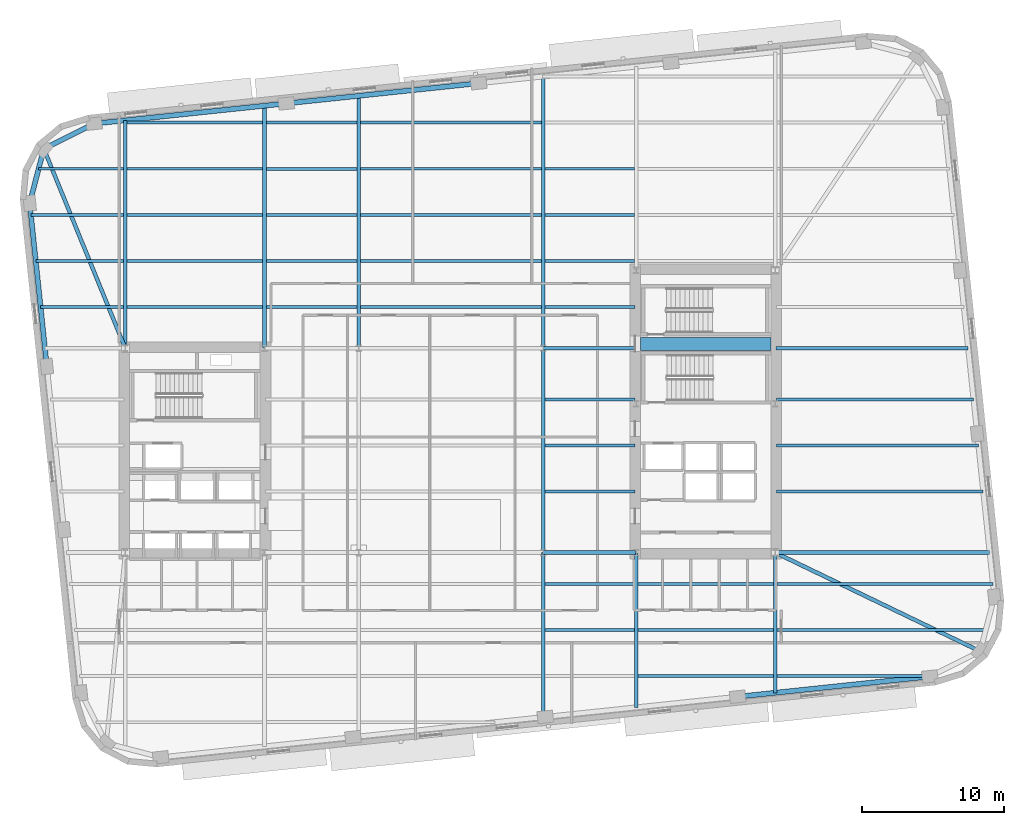
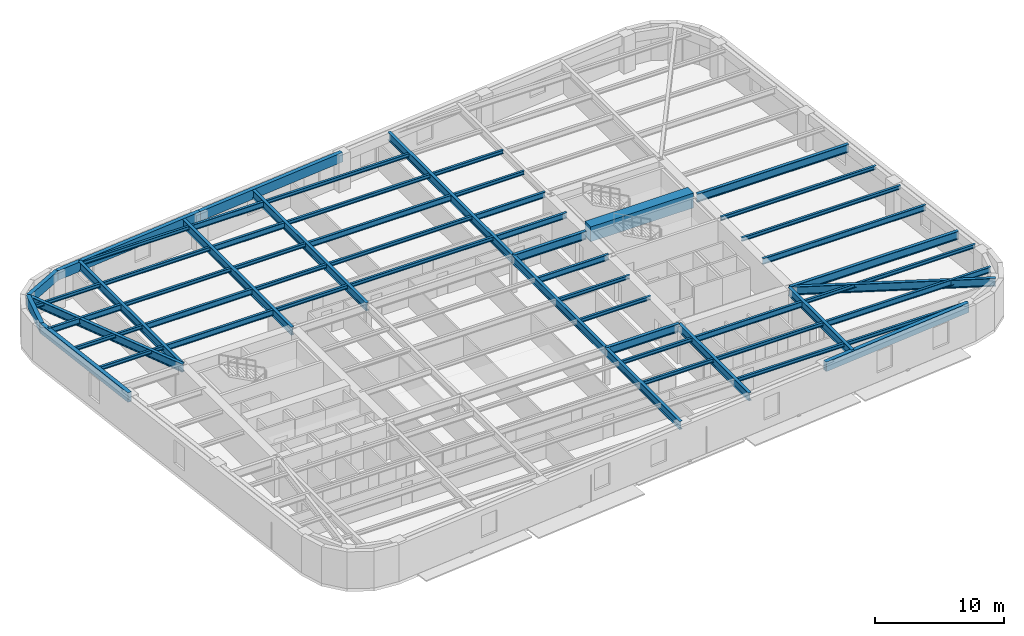
# One storey, part 2 of 12: 58 beams.
"""IFC4 building model written with IfcOpenShell, lengths in metres."""

import ifcopenshell
import ifcopenshell.guid

model = None  # the IFC model being written
_history = None  # IfcOwnerHistory: only IFC2X3 demands one
_inside = {}  # id of a spatial element -> (the spatial element, [elements in it])
_under = {}  # id of a project, library or spatial element -> (it, [spatial elements below it])
_declared = {}  # id of a project -> (the project, [libraries it declares])
_typed = {}  # id of a type object -> (the type object, [elements of that type])
_made_of = {}  # id of a material, layer set ... -> (it, [elements and type objects made of it])


def new_model(schema):
    """Start an empty IFC model of exactly this schema.

    Asked for "IFC4X3", IfcOpenShell would pick the latest addendum, in which some entities
    have other attributes; the version numbers below select the first issue.
    IFC2X3 requires an IfcOwnerHistory on every rooted entity: one is made here for all.
    """
    global model, _history
    if schema == "IFC4X3":
        model = ifcopenshell.file(schema_version=(4, 3, 0, 0))
    else:
        model = ifcopenshell.file(schema=schema)
    _inside.clear()
    _under.clear()
    _declared.clear()
    _typed.clear()
    _made_of.clear()
    _history = None
    if model.schema == "IFC2X3":
        org = make("IfcOrganization", Name="unknown")
        user = make(
            "IfcPersonAndOrganization",
            ThePerson=make("IfcPerson", FamilyName="unknown"),
            TheOrganization=org,
        )
        app = make(
            "IfcApplication",
            ApplicationDeveloper=org,
            Version="unknown",
            ApplicationFullName="unknown",
            ApplicationIdentifier="unknown",
        )
        _history = make(
            "IfcOwnerHistory",
            OwningUser=user,
            OwningApplication=app,
            ChangeAction="ADDED",
            CreationDate=0,
        )
    return model


def make(cls, **values):
    """One entity of the class cls with the attributes given. An attribute that is None is left unset."""
    return model.create_entity(
        cls, **{name: value for name, value in values.items() if value is not None}
    )


def rooted(cls, **values):
    """An entity with a GlobalId (a new one), such as an element, a storey or a relation."""
    return make(cls, GlobalId=ifcopenshell.guid.new(), OwnerHistory=_history, **values)


def si_unit(unit_type, name, prefix=None):
    """IfcSIUnit, for example si_unit("LENGTHUNIT", "METRE", prefix="MILLI")."""
    return make("IfcSIUnit", UnitType=unit_type, Prefix=prefix, Name=name)


def assignment(units):
    """IfcUnitAssignment: the units of a project."""
    return None if units is None else make("IfcUnitAssignment", Units=units)


def point(xyz):
    """IfcCartesianPoint."""
    return None if xyz is None else make("IfcCartesianPoint", Coordinates=xyz)


def direction(xyz):
    """IfcDirection."""
    return None if xyz is None else make("IfcDirection", DirectionRatios=xyz)


def frame(location, z_axis=None, x_axis=None):
    """IfcAxis2Placement3D, a coordinate frame: its origin and axes. An axis left out is left unset."""
    return make(
        "IfcAxis2Placement3D",
        Location=point(location),
        Axis=direction(z_axis),
        RefDirection=direction(x_axis),
    )


def frame_2d(location, x_axis=None):
    """IfcAxis2Placement2D, a coordinate frame in the plane: its origin and x axis."""
    return make(
        "IfcAxis2Placement2D", Location=point(location), RefDirection=direction(x_axis)
    )


def origin():
    """The frame at (0, 0, 0) with its axes left unset."""
    return frame((0.0, 0.0, 0.0))


def origin_2d():
    """The frame at (0, 0) in the plane with its x axis left unset."""
    return frame_2d((0.0, 0.0))


def place(relative_to, where):
    """IfcLocalPlacement: puts the frame where relative to a parent placement (None: the world)."""
    return make(
        "IfcLocalPlacement", PlacementRelTo=relative_to, RelativePlacement=where
    )


def context(
    kind, dimensions, precision=None, world=None, true_north=None, identifier=None
):
    """IfcGeometricRepresentationContext, for example the 3D "Model" context."""
    return make(
        "IfcGeometricRepresentationContext",
        ContextIdentifier=identifier,
        ContextType=kind,
        CoordinateSpaceDimension=dimensions,
        Precision=precision,
        WorldCoordinateSystem=world,
        TrueNorth=true_north,
    )


def subcontext(parent, identifier, kind, view, scale=None):
    """IfcGeometricRepresentationSubContext, for example "Body" below "Model"."""
    return make(
        "IfcGeometricRepresentationSubContext",
        ContextIdentifier=identifier,
        ContextType=kind,
        ParentContext=parent,
        TargetScale=scale,
        TargetView=view,
    )


def project(units=None, contexts=None):
    """IfcProject with its units and contexts."""
    return rooted(
        "IfcProject",
        Name="project",
        RepresentationContexts=contexts,
        UnitsInContext=assignment(units),
    )


def spatial(cls, under=None, at=None, **own):
    """A site, building, storey or space (cls), placed at a placement, below another one or the project."""
    s = rooted(cls, ObjectPlacement=at, **own)
    if under is not None:
        _under.setdefault(under.id(), (under, []))[1].append(s)
    return s


def profile(cls, at=None, kind="AREA", **sizes):
    """A parametric profile (cls). Its sizes go by their IFC names, for example OverallWidth=200.0."""
    return make(cls, ProfileType=kind, Position=at, **sizes)


def rectangle(**sizes):
    """IfcRectangleProfileDef."""
    return profile("IfcRectangleProfileDef", **sizes)


def hollow_rectangle(**sizes):
    """IfcRectangleHollowProfileDef."""
    return profile("IfcRectangleHollowProfileDef", **sizes)


def i_section(**sizes):
    """IfcIShapeProfileDef."""
    return profile("IfcIShapeProfileDef", **sizes)


def extrude(swept, where, along, depth):
    """IfcExtrudedAreaSolid: the profile swept, set in the frame where, extruded along a direction by depth."""
    return make(
        "IfcExtrudedAreaSolid",
        SweptArea=swept,
        Position=where,
        ExtrudedDirection=direction(along),
        Depth=depth,
    )


def shape(context_of_items, identifier, shape_type, items):
    """IfcShapeRepresentation: the items that make up one representation, for example the "Body"."""
    return make(
        "IfcShapeRepresentation",
        ContextOfItems=context_of_items,
        RepresentationIdentifier=identifier,
        RepresentationType=shape_type,
        Items=items,
    )


def material(Name=None, Category=None):
    """IfcMaterial."""
    return make("IfcMaterial", Name=Name, Category=Category)


def material_profile(
    of_material, cross_section, Name=None, Category=None, Priority=None
):
    """IfcMaterialProfile: a cross section and its material."""
    return make(
        "IfcMaterialProfile",
        Name=Name,
        Material=of_material,
        Profile=cross_section,
        Priority=Priority,
        Category=Category,
    )


def profile_set(profiles, Name=None, composite=None):
    """IfcMaterialProfileSet."""
    return make(
        "IfcMaterialProfileSet",
        Name=Name,
        MaterialProfiles=profiles,
        CompositeProfile=composite,
    )


def made_of(thing, what):
    """Note that an element or type object is made of a material, layer set ...; save() writes the relation."""
    if what is not None:
        _made_of.setdefault(what.id(), (what, []))[1].append(thing)
    return thing


def type_object(cls, material=None, **own):
    """A type object (cls), such as IfcWallType, which elements share."""
    return made_of(rooted(cls, **own), material)


def element(
    cls,
    number,
    at=None,
    inside=None,
    cuts=None,
    type_object=None,
    material=None,
    context=None,
    identifier="Body",
    shape_type=None,
    held_by="IfcProductDefinitionShape",
    body=None,
    shapes=None,
    **own,
):
    """One element of the class cls, such as IfcWall. Its Tag is "e" and its number.

    at: its placement. inside: the storey or other place that contains it. cuts: it is an
    opening in that element (IfcRelVoidsElement). A single representation is given by context,
    identifier, shape_type and body (its items); several are given by shapes. held_by: the class
    of the entity that holds the representations. save() writes the other relations.
    """
    e = rooted(cls, Tag="e%d" % number, ObjectPlacement=at, **own)
    if body is not None:
        shapes = [shape(context, identifier, shape_type, body)]
    if shapes is not None:
        e.Representation = make(held_by, Representations=shapes)
    if inside is not None:
        _inside.setdefault(inside.id(), (inside, []))[1].append(e)
    if cuts is not None:
        rooted(
            "IfcRelVoidsElement", RelatingBuildingElement=cuts, RelatedOpeningElement=e
        )
    if type_object is not None:
        _typed.setdefault(type_object.id(), (type_object, []))[1].append(e)
    return made_of(e, material)


def aggregate(whole, parts):
    """IfcRelAggregates: a whole, such as a stair, and the parts it consists of."""
    return rooted("IfcRelAggregates", RelatingObject=whole, RelatedObjects=parts)


def save(model, path):
    """Write the relations noted so far, then the file.

    IfcRelAggregates (storeys below a building ...), IfcRelContainedInSpatialStructure (elements
    in a storey), IfcRelDefinesByType, IfcRelAssociatesMaterial and IfcRelDeclares: one each for
    every whole, place, type object, material and project.
    """
    for whole, parts in _under.values():
        aggregate(whole, parts)
    for where, things in _inside.values():
        rooted(
            "IfcRelContainedInSpatialStructure",
            RelatedElements=things,
            RelatingStructure=where,
        )
    for kind, things in _typed.values():
        rooted("IfcRelDefinesByType", RelatedObjects=things, RelatingType=kind)
    for what, things in _made_of.values():
        rooted("IfcRelAssociatesMaterial", RelatedObjects=things, RelatingMaterial=what)
    for by, libraries in _declared.values():
        rooted("IfcRelDeclares", RelatingContext=by, RelatedDefinitions=libraries)
    model.write(path)


model = new_model("IFC4")

# Units and contexts
model_context = context("Model", 3, precision=1e-05, world=origin(), true_north=direction((0.0, 1.0)))
body_context = subcontext(model_context, "Body", "Model", "MODEL_VIEW")
ifc_project = project(units=[si_unit("LENGTHUNIT", "METRE"), si_unit("AREAUNIT", "SQUARE_METRE"), si_unit("VOLUMEUNIT", "CUBIC_METRE"), si_unit("PLANEANGLEUNIT", "RADIAN"), si_unit("MASSUNIT", "GRAM", prefix="KILO")], contexts=[model_context])

# Site, building, storey
site_placement = place(None, origin())
site = spatial("IfcSite", under=ifc_project, at=site_placement, CompositionType="ELEMENT")
building_placement = place(site_placement, origin())
building = spatial("IfcBuilding", under=site, at=building_placement, Name="Kolvaren Arena Tower", CompositionType="ELEMENT")
storey_placement = place(building_placement, frame((0.0, 0.0, 138.25)))
storey = spatial("IfcBuildingStorey", under=building, at=storey_placement, Name="L32", CompositionType="ELEMENT", Elevation=138.25)

# Beams
ifc_material_1 = material(Name="Steel CSA G40.21 350W", Category="steel")
ifc_material_profile_1 = material_profile(ifc_material_1, i_section(OverallWidth=0.2119140625, OverallDepth=0.54296875, WebThickness=0.01318359375, FlangeThickness=0.0244140625, FilletRadius=0.013916015625, at=origin_2d()), Name="W530x150")
ifc_profile_set_1 = profile_set([ifc_material_profile_1], Name="Steel CSA G40.21 350W")
beam_type_1 = type_object("IfcBeamType", Name="BEAM-F1", PredefinedType="BEAM", material=ifc_profile_set_1)
beam_1_placement = place(storey_placement, frame((60.485107421875, 14.0, 3.20849609375), z_axis=(1.0, 0.0, 0.0), x_axis=(0.0, 1.0, 0.0)))
element("IfcBeam", 1, at=beam_1_placement, inside=storey, type_object=beam_type_1, Name="Composite Floor Beam (L32)", PredefinedType="BEAM", context=body_context, shape_type="SweptSolid", body=[
    extrude(i_section(OverallWidth=0.2119140625, OverallDepth=0.54296875, WebThickness=0.01318359375, FlangeThickness=0.0244140625, FilletRadius=0.013916015625, at=origin_2d()), origin(), (0.0, 0.0, 1.0), 14.69677734375),
])
beam_2_placement = place(storey_placement, frame((50.68505859375, 17.25, 3.20849609375), z_axis=(1.0, 0.0, 0.0), x_axis=(0.0, 1.0, 0.0)))
element("IfcBeam", 2, at=beam_2_placement, inside=storey, type_object=beam_type_1, Name="Composite Floor Beam (L32)", PredefinedType="BEAM", context=body_context, shape_type="SweptSolid", body=[
    extrude(i_section(OverallWidth=0.2119140625, OverallDepth=0.54296875, WebThickness=0.01318359375, FlangeThickness=0.0244140625, FilletRadius=0.013916015625, at=origin_2d()), origin(), (0.0, 0.0, 1.0), 9.530029296875),
])
beam_3_placement = place(storey_placement, frame((60.445068359375, 23.75, 3.20849609375), z_axis=(1.0, 0.0, 0.0), x_axis=(0.0, 1.0, 0.0)))
element("IfcBeam", 3, at=beam_3_placement, inside=storey, type_object=beam_type_1, Name="Composite Floor Beam (L32)", PredefinedType="BEAM", context=body_context, shape_type="SweptSolid", body=[
    extrude(i_section(OverallWidth=0.2119140625, OverallDepth=0.54296875, WebThickness=0.01318359375, FlangeThickness=0.0244140625, FilletRadius=0.013916015625, at=origin_2d()), origin(), (0.0, 0.0, 1.0), 14.56103515625),
])
beam_4_placement = place(storey_placement, frame((44.135009765625, 30.25, 3.20849609375), z_axis=(1.0, 0.0, 0.0), x_axis=(0.0, 1.0, 0.0)))
element("IfcBeam", 4, at=beam_4_placement, inside=storey, type_object=beam_type_1, Name="Composite Floor Beam (L32)", PredefinedType="BEAM", context=body_context, shape_type="SweptSolid", body=[
    extrude(i_section(OverallWidth=0.2119140625, OverallDepth=0.54296875, WebThickness=0.01318359375, FlangeThickness=0.0244140625, FilletRadius=0.013916015625, at=origin_2d()), origin(), (0.0, 0.0, 1.0), 6.320068359375),
])
beam_5_placement = place(storey_placement, frame((14.68505859375, 36.75, 3.20849609375), z_axis=(1.0, 0.0, 0.0), x_axis=(0.0, 1.0, 0.0)))
element("IfcBeam", 5, at=beam_5_placement, inside=storey, type_object=beam_type_1, Name="Composite Floor Beam (L32)", PredefinedType="BEAM", context=body_context, shape_type="SweptSolid", body=[
    extrude(i_section(OverallWidth=0.2119140625, OverallDepth=0.54296875, WebThickness=0.01318359375, FlangeThickness=0.0244140625, FilletRadius=0.013916015625, at=origin_2d()), origin(), (0.0, 0.0, 1.0), 9.530029296875),
])
beam_6_placement = place(storey_placement, frame((44.135009765625, 36.75, 3.20849609375), z_axis=(1.0, 0.0, 0.0), x_axis=(0.0, 1.0, 0.0)))
element("IfcBeam", 6, at=beam_6_placement, inside=storey, type_object=beam_type_1, Name="Composite Floor Beam (L32)", PredefinedType="BEAM", context=body_context, shape_type="SweptSolid", body=[
    extrude(i_section(OverallWidth=0.2119140625, OverallDepth=0.54296875, WebThickness=0.01318359375, FlangeThickness=0.0244140625, FilletRadius=0.013916015625, at=origin_2d()), origin(), (0.0, 0.0, 1.0), 6.320068359375),
])
beam_7_placement = place(storey_placement, frame((14.68505859375, 40.0, 3.20849609375), z_axis=(1.0, 0.0, 0.0), x_axis=(0.0, 1.0, 0.0)))
element("IfcBeam", 7, at=beam_7_placement, inside=storey, type_object=beam_type_1, Name="Composite Floor Beam (L32)", PredefinedType="BEAM", context=body_context, shape_type="SweptSolid", body=[
    extrude(i_section(OverallWidth=0.2119140625, OverallDepth=0.54296875, WebThickness=0.01318359375, FlangeThickness=0.0244140625, FilletRadius=0.013916015625, at=origin_2d()), origin(), (0.0, 0.0, 1.0), 9.530029296875),
])
beam_8_placement = place(storey_placement, frame((44.135009765625, 40.0, 3.20849609375), z_axis=(1.0, 0.0, 0.0), x_axis=(0.0, 1.0, 0.0)))
element("IfcBeam", 8, at=beam_8_placement, inside=storey, type_object=beam_type_1, Name="Composite Floor Beam (L32)", PredefinedType="BEAM", context=body_context, shape_type="SweptSolid", body=[
    extrude(i_section(OverallWidth=0.2119140625, OverallDepth=0.54296875, WebThickness=0.01318359375, FlangeThickness=0.0244140625, FilletRadius=0.013916015625, at=origin_2d()), origin(), (0.0, 0.0, 1.0), 6.280029296875),
])
beam_9_placement = place(storey_placement, frame((7.900146484375, 43.25, 3.20849609375), z_axis=(1.0, 0.0, 0.0), x_axis=(0.0, 1.0, 0.0)))
element("IfcBeam", 9, at=beam_9_placement, inside=storey, type_object=beam_type_1, Name="Composite Floor Beam (L32)", PredefinedType="BEAM", context=body_context, shape_type="SweptSolid", body=[
    extrude(i_section(OverallWidth=0.2119140625, OverallDepth=0.54296875, WebThickness=0.01318359375, FlangeThickness=0.0244140625, FilletRadius=0.013916015625, at=origin_2d()), origin(), (0.0, 0.0, 1.0), 6.514892578125),
])
beam_10_placement = place(storey_placement, frame((31.135009765625, 43.25, 3.20849609375), z_axis=(1.0, 0.0, 0.0), x_axis=(0.0, 1.0, 0.0)))
element("IfcBeam", 10, at=beam_10_placement, inside=storey, type_object=beam_type_1, Name="Composite Floor Beam (L32)", PredefinedType="BEAM", context=body_context, shape_type="SweptSolid", body=[
    extrude(i_section(OverallWidth=0.2119140625, OverallDepth=0.54296875, WebThickness=0.01318359375, FlangeThickness=0.0244140625, FilletRadius=0.013916015625, at=origin_2d()), origin(), (0.0, 0.0, 1.0), 12.72998046875),
])
for number, where, z_axis, x_axis, name in (
    (11, (24.485107421875, 46.5, 3.20849609375), (1.0, 0.0, 0.0), (0.0, 1.0, 0.0), "Composite Floor Beam (L32)"),
    (12, (24.485107421875, 49.75, 3.20849609375), (1.0, 0.0, 0.0), (0.0, 1.0, 0.0), "Composite Floor Beam (L32)"),
):
    element("IfcBeam", number, at=place(storey_placement, frame(where, z_axis=z_axis, x_axis=x_axis)), inside=storey, type_object=beam_type_1, Name=name, PredefinedType="BEAM", context=body_context, shape_type="SweptSolid", body=[
        extrude(i_section(OverallWidth=0.2119140625, OverallDepth=0.54296875, WebThickness=0.01318359375, FlangeThickness=0.0244140625, FilletRadius=0.013916015625, at=origin_2d()), origin(), (0.0, 0.0, 1.0), 6.3798828125),
    ])
ifc_material_2 = material(Name="Concrete 75 MPa", Category="concrete")
ifc_material_profile_2 = material_profile(ifc_material_2, rectangle(XDim=0.89990234375, YDim=1.39990234375, at=origin_2d()), Name="RC-900x1400")
ifc_profile_set_2 = profile_set([ifc_material_profile_2], Name="Concrete 75 MPa")
beam_type_2 = type_object("IfcBeamType", Name="CB-CORE-1", PredefinedType="BEAM", material=ifc_profile_set_2)
beam_11_placement = place(storey_placement, frame((50.85009765625, 34.14990234375, 3.050048828125), z_axis=(1.0, 0.0, 0.0), x_axis=(0.0, 1.0, 0.0)))
element("IfcBeam", 13, at=beam_11_placement, inside=storey, type_object=beam_type_2, Name="East Core Coupling Beam (L32)", PredefinedType="BEAM", context=body_context, shape_type="SweptSolid", body=[
    extrude(rectangle(XDim=0.89990234375, YDim=1.39990234375, at=origin_2d()), origin(), (0.0, 0.0, 1.0), 9.199951171875),
])
ifc_material_profile_3 = material_profile(ifc_material_1, i_section(OverallWidth=0.27001953125, OverallDepth=0.77294921875, WebThickness=0.019287109375, FlangeThickness=0.033447265625, FilletRadius=0.01806640625, at=origin_2d()), Name="W760x257")
ifc_profile_set_3 = profile_set([ifc_material_profile_3], Name="Steel CSA G40.21 350W")
beam_type_3 = type_object("IfcBeamType", Name="GIRD-T1", PredefinedType="BEAM", material=ifc_profile_set_3)
beam_12_placement = place(storey_placement, frame((74.790283203125, 12.49267578125, 3.093505859375), z_axis=(-0.900889626424, 0.43404824732, 0.0), x_axis=(-0.43404824732, -0.900889626424, 0.0)))
element("IfcBeam", 14, at=beam_12_placement, inside=storey, type_object=beam_type_3, Name="Corner Diagonal Tie Girder (L32)", PredefinedType="BEAM", context=body_context, shape_type="SweptSolid", body=[
    extrude(i_section(OverallWidth=0.27001953125, OverallDepth=0.77294921875, WebThickness=0.019287109375, FlangeThickness=0.033447265625, FilletRadius=0.01806640625, at=origin_2d()), origin(), (0.0, 0.0, 1.0), 16.02880859375),
])
beam_13_placement = place(storey_placement, frame((8.8095703125, 47.9072265625, 3.093505859375), z_axis=(0.378059288681, -0.925781385772, 0.0), x_axis=(0.925781385772, 0.378059288681, 0.0)))
element("IfcBeam", 15, at=beam_13_placement, inside=storey, type_object=beam_type_3, Name="Corner Diagonal Tie Girder (L32)", PredefinedType="BEAM", context=body_context, shape_type="SweptSolid", body=[
    extrude(i_section(OverallWidth=0.27001953125, OverallDepth=0.77294921875, WebThickness=0.019287109375, FlangeThickness=0.033447265625, FilletRadius=0.01806640625, at=origin_2d()), origin(), (0.0, 0.0, 1.0), 15.18408203125),
])
beam_14_placement = place(storey_placement, frame((44.0, 19.449951171875, 3.093505859375), z_axis=(1.0, 0.0, 0.0), x_axis=(0.0, 1.0, 0.0)))
element("IfcBeam", 16, at=beam_14_placement, inside=storey, type_object=beam_type_3, Name="Primary Floor Girder (L32)", PredefinedType="BEAM", context=body_context, shape_type="SweptSolid", body=[
    extrude(i_section(OverallWidth=0.27001953125, OverallDepth=0.77294921875, WebThickness=0.019287109375, FlangeThickness=0.033447265625, FilletRadius=0.01806640625, at=origin_2d()), origin(), (0.0, 0.0, 1.0), 6.4951171875),
])
beam_15_placement = place(storey_placement, frame((60.405029296875, 19.449951171875, 3.093505859375), z_axis=(1.0, 0.0, 0.0), x_axis=(0.0, 1.0, 0.0)))
element("IfcBeam", 17, at=beam_15_placement, inside=storey, type_object=beam_type_3, Name="Primary Floor Girder (L32)", PredefinedType="BEAM", context=body_context, shape_type="SweptSolid", body=[
    extrude(i_section(OverallWidth=0.27001953125, OverallDepth=0.77294921875, WebThickness=0.019287109375, FlangeThickness=0.033447265625, FilletRadius=0.01806640625, at=origin_2d()), origin(), (0.0, 0.0, 1.0), 15.052978515625),
])
beam_16_placement = place(storey_placement, frame((44.0, 33.85009765625, 3.093505859375), z_axis=(1.0, 0.0, 0.0), x_axis=(0.0, 1.0, 0.0)))
element("IfcBeam", 18, at=beam_16_placement, inside=storey, type_object=beam_type_3, Name="Primary Floor Girder (L32)", PredefinedType="BEAM", context=body_context, shape_type="SweptSolid", body=[
    extrude(i_section(OverallWidth=0.27001953125, OverallDepth=0.77294921875, WebThickness=0.019287109375, FlangeThickness=0.033447265625, FilletRadius=0.01806640625, at=origin_2d()), origin(), (0.0, 0.0, 1.0), 6.4951171875),
])
beam_17_placement = place(storey_placement, frame((60.405029296875, 33.85009765625, 3.093505859375), z_axis=(1.0, 0.0, 0.0), x_axis=(0.0, 1.0, 0.0)))
element("IfcBeam", 19, at=beam_17_placement, inside=storey, type_object=beam_type_3, Name="Primary Floor Girder (L32)", PredefinedType="BEAM", context=body_context, shape_type="SweptSolid", body=[
    extrude(i_section(OverallWidth=0.27001953125, OverallDepth=0.77294921875, WebThickness=0.019287109375, FlangeThickness=0.033447265625, FilletRadius=0.01806640625, at=origin_2d()), origin(), (0.0, 0.0, 1.0), 13.53955078125),
])
beam_18_placement = place(storey_placement, frame((14.550048828125, 33.905029296875, 3.093505859375), z_axis=(0.0, 1.0, 0.0), x_axis=(-1.0, 0.0, 0.0)))
element("IfcBeam", 20, at=beam_18_placement, inside=storey, type_object=beam_type_3, Name="Primary Floor Girder (L32)", PredefinedType="BEAM", context=body_context, shape_type="SweptSolid", body=[
    extrude(i_section(OverallWidth=0.27001953125, OverallDepth=0.77294921875, WebThickness=0.019287109375, FlangeThickness=0.033447265625, FilletRadius=0.01806640625, at=origin_2d()), origin(), (0.0, 0.0, 1.0), 16.004638671875),
])
beam_19_placement = place(storey_placement, frame((24.35009765625, 33.905029296875, 3.093505859375), z_axis=(0.0, 1.0, 0.0), x_axis=(-1.0, 0.0, 0.0)))
element("IfcBeam", 21, at=beam_19_placement, inside=storey, type_object=beam_type_3, Name="Primary Floor Girder (L32)", PredefinedType="BEAM", context=body_context, shape_type="SweptSolid", body=[
    extrude(i_section(OverallWidth=0.27001953125, OverallDepth=0.77294921875, WebThickness=0.019287109375, FlangeThickness=0.033447265625, FilletRadius=0.01806640625, at=origin_2d()), origin(), (0.0, 0.0, 1.0), 17.03466796875),
])
beam_20_placement = place(storey_placement, frame((31.0, 33.85009765625, 3.093505859375), z_axis=(0.0, 1.0, 0.0), x_axis=(-1.0, 0.0, 0.0)))
element("IfcBeam", 22, at=beam_20_placement, inside=storey, type_object=beam_type_3, Name="Primary Floor Girder (L32)", PredefinedType="BEAM", context=body_context, shape_type="SweptSolid", body=[
    extrude(i_section(OverallWidth=0.27001953125, OverallDepth=0.77294921875, WebThickness=0.019287109375, FlangeThickness=0.033447265625, FilletRadius=0.01806640625, at=origin_2d()), origin(), (0.0, 0.0, 1.0), 17.788330078125),
])
beam_21_placement = place(storey_placement, frame((44.0, 7.857666015625, 3.093505859375), z_axis=(0.0, 1.0, 0.0), x_axis=(-1.0, 0.0, 0.0)))
element("IfcBeam", 23, at=beam_21_placement, inside=storey, type_object=beam_type_3, Name="Primary Floor Girder (L32)", PredefinedType="BEAM", context=body_context, shape_type="SweptSolid", body=[
    extrude(i_section(OverallWidth=0.27001953125, OverallDepth=0.77294921875, WebThickness=0.019287109375, FlangeThickness=0.033447265625, FilletRadius=0.01806640625, at=origin_2d()), origin(), (0.0, 0.0, 1.0), 11.59228515625),
])
beam_22_placement = place(storey_placement, frame((44.0, 19.449951171875, 3.093505859375), z_axis=(0.0, 1.0, 0.0), x_axis=(-1.0, 0.0, 0.0)))
element("IfcBeam", 24, at=beam_22_placement, inside=storey, type_object=beam_type_3, Name="Primary Floor Girder (L32)", PredefinedType="BEAM", context=body_context, shape_type="SweptSolid", body=[
    extrude(i_section(OverallWidth=0.27001953125, OverallDepth=0.77294921875, WebThickness=0.019287109375, FlangeThickness=0.033447265625, FilletRadius=0.01806640625, at=origin_2d()), origin(), (0.0, 0.0, 1.0), 14.400146484375),
])
beam_23_placement = place(storey_placement, frame((44.0, 33.85009765625, 3.093505859375), z_axis=(0.0, 1.0, 0.0), x_axis=(-1.0, 0.0, 0.0)))
element("IfcBeam", 25, at=beam_23_placement, inside=storey, type_object=beam_type_3, Name="Primary Floor Girder (L32)", PredefinedType="BEAM", context=body_context, shape_type="SweptSolid", body=[
    extrude(i_section(OverallWidth=0.27001953125, OverallDepth=0.77294921875, WebThickness=0.019287109375, FlangeThickness=0.033447265625, FilletRadius=0.01806640625, at=origin_2d()), origin(), (0.0, 0.0, 1.0), 19.15478515625),
])
beam_24_placement = place(storey_placement, frame((50.550048828125, 8.5458984375, 3.093505859375), z_axis=(0.0, 1.0, 0.0), x_axis=(-1.0, 0.0, 0.0)))
element("IfcBeam", 26, at=beam_24_placement, inside=storey, type_object=beam_type_3, Name="Primary Floor Girder (L32)", PredefinedType="BEAM", context=body_context, shape_type="SweptSolid", body=[
    extrude(i_section(OverallWidth=0.27001953125, OverallDepth=0.77294921875, WebThickness=0.019287109375, FlangeThickness=0.033447265625, FilletRadius=0.01806640625, at=origin_2d()), origin(), (0.0, 0.0, 1.0), 10.84912109375),
])
beam_25_placement = place(storey_placement, frame((60.35009765625, 9.575927734375, 3.093505859375), z_axis=(0.0, 1.0, 0.0), x_axis=(-1.0, 0.0, 0.0)))
element("IfcBeam", 27, at=beam_25_placement, inside=storey, type_object=beam_type_3, Name="Primary Floor Girder (L32)", PredefinedType="BEAM", context=body_context, shape_type="SweptSolid", body=[
    extrude(i_section(OverallWidth=0.27001953125, OverallDepth=0.77294921875, WebThickness=0.019287109375, FlangeThickness=0.033447265625, FilletRadius=0.01806640625, at=origin_2d()), origin(), (0.0, 0.0, 1.0), 9.819091796875),
])
ifc_material_profile_4 = material_profile(ifc_material_1, i_section(OverallWidth=0.202880859375, OverallDepth=0.346923828125, WebThickness=0.0078125, FlangeThickness=0.013427734375, FilletRadius=0.010986328125, at=origin_2d()), Name="W360x64")
ifc_profile_set_4 = profile_set([ifc_material_profile_4], Name="Steel CSA G40.21 350W")
beam_type_4 = type_object("IfcBeamType", Name="JOIST-01", PredefinedType="JOIST", material=ifc_profile_set_4)
beam_26_placement = place(storey_placement, frame((50.68505859375, 10.75, 3.306396484375), z_axis=(1.0, 0.0, 0.0), x_axis=(0.0, 1.0, 0.0)))
element("IfcBeam", 28, at=beam_26_placement, inside=storey, type_object=beam_type_4, Name="Composite Floor Joist (L32)", PredefinedType="JOIST", context=body_context, shape_type="SweptSolid", body=[
    extrude(i_section(OverallWidth=0.202880859375, OverallDepth=0.346923828125, WebThickness=0.0078125, FlangeThickness=0.013427734375, FilletRadius=0.010986328125, at=origin_2d()), origin(), (0.0, 0.0, 1.0), 9.530029296875),
])
beam_27_placement = place(storey_placement, frame((60.485107421875, 10.75, 3.306396484375), z_axis=(1.0, 0.0, 0.0), x_axis=(0.0, 1.0, 0.0)))
element("IfcBeam", 29, at=beam_27_placement, inside=storey, type_object=beam_type_4, Name="Composite Floor Joist (L32)", PredefinedType="JOIST", context=body_context, shape_type="SweptSolid", body=[
    extrude(i_section(OverallWidth=0.202880859375, OverallDepth=0.346923828125, WebThickness=0.0078125, FlangeThickness=0.013427734375, FilletRadius=0.010986328125, at=origin_2d()), origin(), (0.0, 0.0, 1.0), 10.819580078125),
])
beam_28_placement = place(storey_placement, frame((44.135009765625, 14.0, 3.306396484375), z_axis=(1.0, 0.0, 0.0), x_axis=(0.0, 1.0, 0.0)))
element("IfcBeam", 30, at=beam_28_placement, inside=storey, type_object=beam_type_4, Name="Composite Floor Joist (L32)", PredefinedType="JOIST", context=body_context, shape_type="SweptSolid", body=[
    extrude(i_section(OverallWidth=0.202880859375, OverallDepth=0.346923828125, WebThickness=0.0078125, FlangeThickness=0.013427734375, FilletRadius=0.010986328125, at=origin_2d()), origin(), (0.0, 0.0, 1.0), 6.280029296875),
])
beam_29_placement = place(storey_placement, frame((50.68505859375, 14.0, 3.306396484375), z_axis=(1.0, 0.0, 0.0), x_axis=(0.0, 1.0, 0.0)))
element("IfcBeam", 31, at=beam_29_placement, inside=storey, type_object=beam_type_4, Name="Composite Floor Joist (L32)", PredefinedType="JOIST", context=body_context, shape_type="SweptSolid", body=[
    extrude(i_section(OverallWidth=0.202880859375, OverallDepth=0.346923828125, WebThickness=0.0078125, FlangeThickness=0.013427734375, FilletRadius=0.010986328125, at=origin_2d()), origin(), (0.0, 0.0, 1.0), 9.530029296875),
])
beam_30_placement = place(storey_placement, frame((44.135009765625, 17.25, 3.306396484375), z_axis=(1.0, 0.0, 0.0), x_axis=(0.0, 1.0, 0.0)))
element("IfcBeam", 32, at=beam_30_placement, inside=storey, type_object=beam_type_4, Name="Composite Floor Joist (L32)", PredefinedType="JOIST", context=body_context, shape_type="SweptSolid", body=[
    extrude(i_section(OverallWidth=0.202880859375, OverallDepth=0.346923828125, WebThickness=0.0078125, FlangeThickness=0.013427734375, FilletRadius=0.010986328125, at=origin_2d()), origin(), (0.0, 0.0, 1.0), 6.280029296875),
])
beam_31_placement = place(storey_placement, frame((60.485107421875, 17.25, 3.306396484375), z_axis=(1.0, 0.0, 0.0), x_axis=(0.0, 1.0, 0.0)))
element("IfcBeam", 33, at=beam_31_placement, inside=storey, type_object=beam_type_4, Name="Composite Floor Joist (L32)", PredefinedType="JOIST", context=body_context, shape_type="SweptSolid", body=[
    extrude(i_section(OverallWidth=0.202880859375, OverallDepth=0.346923828125, WebThickness=0.0078125, FlangeThickness=0.013427734375, FilletRadius=0.010986328125, at=origin_2d()), origin(), (0.0, 0.0, 1.0), 15.2041015625),
])
for number, where, z_axis, x_axis, name in (
    (34, (44.135009765625, 23.75, 3.306396484375), (1.0, 0.0, 0.0), (0.0, 1.0, 0.0), "Composite Floor Joist (L32)"),
    (35, (44.135009765625, 27.0, 3.306396484375), (1.0, 0.0, 0.0), (0.0, 1.0, 0.0), "Composite Floor Joist (L32)"),
):
    element("IfcBeam", number, at=place(storey_placement, frame(where, z_axis=z_axis, x_axis=x_axis)), inside=storey, type_object=beam_type_4, Name=name, PredefinedType="JOIST", context=body_context, shape_type="SweptSolid", body=[
        extrude(i_section(OverallWidth=0.202880859375, OverallDepth=0.346923828125, WebThickness=0.0078125, FlangeThickness=0.013427734375, FilletRadius=0.010986328125, at=origin_2d()), origin(), (0.0, 0.0, 1.0), 6.320068359375),
    ])
beam_32_placement = place(storey_placement, frame((60.445068359375, 27.0, 3.306396484375), z_axis=(1.0, 0.0, 0.0), x_axis=(0.0, 1.0, 0.0)))
element("IfcBeam", 36, at=beam_32_placement, inside=storey, type_object=beam_type_4, Name="Composite Floor Joist (L32)", PredefinedType="JOIST", context=body_context, shape_type="SweptSolid", body=[
    extrude(i_section(OverallWidth=0.202880859375, OverallDepth=0.346923828125, WebThickness=0.0078125, FlangeThickness=0.013427734375, FilletRadius=0.010986328125, at=origin_2d()), origin(), (0.0, 0.0, 1.0), 14.219482421875),
])
beam_33_placement = place(storey_placement, frame((60.445068359375, 30.25, 3.306396484375), z_axis=(1.0, 0.0, 0.0), x_axis=(0.0, 1.0, 0.0)))
element("IfcBeam", 37, at=beam_33_placement, inside=storey, type_object=beam_type_4, Name="Composite Floor Joist (L32)", PredefinedType="JOIST", context=body_context, shape_type="SweptSolid", body=[
    extrude(i_section(OverallWidth=0.202880859375, OverallDepth=0.346923828125, WebThickness=0.0078125, FlangeThickness=0.013427734375, FilletRadius=0.010986328125, at=origin_2d()), origin(), (0.0, 0.0, 1.0), 13.8779296875),
])
beam_34_placement = place(storey_placement, frame((8.58349609375, 36.75, 3.306396484375), z_axis=(1.0, 0.0, 0.0), x_axis=(0.0, 1.0, 0.0)))
element("IfcBeam", 38, at=beam_34_placement, inside=storey, type_object=beam_type_4, Name="Composite Floor Joist (L32)", PredefinedType="JOIST", context=body_context, shape_type="SweptSolid", body=[
    extrude(i_section(OverallWidth=0.202880859375, OverallDepth=0.346923828125, WebThickness=0.0078125, FlangeThickness=0.013427734375, FilletRadius=0.010986328125, at=origin_2d()), origin(), (0.0, 0.0, 1.0), 5.83154296875),
])
beam_35_placement = place(storey_placement, frame((24.485107421875, 36.75, 3.306396484375), z_axis=(1.0, 0.0, 0.0), x_axis=(0.0, 1.0, 0.0)))
element("IfcBeam", 39, at=beam_35_placement, inside=storey, type_object=beam_type_4, Name="Composite Floor Joist (L32)", PredefinedType="JOIST", context=body_context, shape_type="SweptSolid", body=[
    extrude(i_section(OverallWidth=0.202880859375, OverallDepth=0.346923828125, WebThickness=0.0078125, FlangeThickness=0.013427734375, FilletRadius=0.010986328125, at=origin_2d()), origin(), (0.0, 0.0, 1.0), 6.3798828125),
])
beam_36_placement = place(storey_placement, frame((31.135009765625, 36.75, 3.306396484375), z_axis=(1.0, 0.0, 0.0), x_axis=(0.0, 1.0, 0.0)))
element("IfcBeam", 40, at=beam_36_placement, inside=storey, type_object=beam_type_4, Name="Composite Floor Joist (L32)", PredefinedType="JOIST", context=body_context, shape_type="SweptSolid", body=[
    extrude(i_section(OverallWidth=0.202880859375, OverallDepth=0.346923828125, WebThickness=0.0078125, FlangeThickness=0.013427734375, FilletRadius=0.010986328125, at=origin_2d()), origin(), (0.0, 0.0, 1.0), 12.72998046875),
])
beam_37_placement = place(storey_placement, frame((8.24169921875, 40.0, 3.306396484375), z_axis=(1.0, 0.0, 0.0), x_axis=(0.0, 1.0, 0.0)))
element("IfcBeam", 41, at=beam_37_placement, inside=storey, type_object=beam_type_4, Name="Composite Floor Joist (L32)", PredefinedType="JOIST", context=body_context, shape_type="SweptSolid", body=[
    extrude(i_section(OverallWidth=0.202880859375, OverallDepth=0.346923828125, WebThickness=0.0078125, FlangeThickness=0.013427734375, FilletRadius=0.010986328125, at=origin_2d()), origin(), (0.0, 0.0, 1.0), 6.17333984375),
])
beam_38_placement = place(storey_placement, frame((24.485107421875, 40.0, 3.306396484375), z_axis=(1.0, 0.0, 0.0), x_axis=(0.0, 1.0, 0.0)))
element("IfcBeam", 42, at=beam_38_placement, inside=storey, type_object=beam_type_4, Name="Composite Floor Joist (L32)", PredefinedType="JOIST", context=body_context, shape_type="SweptSolid", body=[
    extrude(i_section(OverallWidth=0.202880859375, OverallDepth=0.346923828125, WebThickness=0.0078125, FlangeThickness=0.013427734375, FilletRadius=0.010986328125, at=origin_2d()), origin(), (0.0, 0.0, 1.0), 6.3798828125),
])
beam_39_placement = place(storey_placement, frame((31.135009765625, 40.0, 3.306396484375), z_axis=(1.0, 0.0, 0.0), x_axis=(0.0, 1.0, 0.0)))
element("IfcBeam", 43, at=beam_39_placement, inside=storey, type_object=beam_type_4, Name="Composite Floor Joist (L32)", PredefinedType="JOIST", context=body_context, shape_type="SweptSolid", body=[
    extrude(i_section(OverallWidth=0.202880859375, OverallDepth=0.346923828125, WebThickness=0.0078125, FlangeThickness=0.013427734375, FilletRadius=0.010986328125, at=origin_2d()), origin(), (0.0, 0.0, 1.0), 12.72998046875),
])
beam_40_placement = place(storey_placement, frame((14.68505859375, 43.25, 3.306396484375), z_axis=(1.0, 0.0, 0.0), x_axis=(0.0, 1.0, 0.0)))
element("IfcBeam", 44, at=beam_40_placement, inside=storey, type_object=beam_type_4, Name="Composite Floor Joist (L32)", PredefinedType="JOIST", context=body_context, shape_type="SweptSolid", body=[
    extrude(i_section(OverallWidth=0.202880859375, OverallDepth=0.346923828125, WebThickness=0.0078125, FlangeThickness=0.013427734375, FilletRadius=0.010986328125, at=origin_2d()), origin(), (0.0, 0.0, 1.0), 9.530029296875),
])
beam_41_placement = place(storey_placement, frame((24.485107421875, 43.25, 3.306396484375), z_axis=(1.0, 0.0, 0.0), x_axis=(0.0, 1.0, 0.0)))
element("IfcBeam", 45, at=beam_41_placement, inside=storey, type_object=beam_type_4, Name="Composite Floor Joist (L32)", PredefinedType="JOIST", context=body_context, shape_type="SweptSolid", body=[
    extrude(i_section(OverallWidth=0.202880859375, OverallDepth=0.346923828125, WebThickness=0.0078125, FlangeThickness=0.013427734375, FilletRadius=0.010986328125, at=origin_2d()), origin(), (0.0, 0.0, 1.0), 6.3798828125),
])
beam_42_placement = place(storey_placement, frame((44.135009765625, 43.25, 3.306396484375), z_axis=(1.0, 0.0, 0.0), x_axis=(0.0, 1.0, 0.0)))
element("IfcBeam", 46, at=beam_42_placement, inside=storey, type_object=beam_type_4, Name="Composite Floor Joist (L32)", PredefinedType="JOIST", context=body_context, shape_type="SweptSolid", body=[
    extrude(i_section(OverallWidth=0.202880859375, OverallDepth=0.346923828125, WebThickness=0.0078125, FlangeThickness=0.013427734375, FilletRadius=0.010986328125, at=origin_2d()), origin(), (0.0, 0.0, 1.0), 6.280029296875),
])
beam_43_placement = place(storey_placement, frame((8.444091796875, 46.5, 3.306396484375), z_axis=(1.0, 0.0, 0.0), x_axis=(0.0, 1.0, 0.0)))
element("IfcBeam", 47, at=beam_43_placement, inside=storey, type_object=beam_type_4, Name="Composite Floor Joist (L32)", PredefinedType="JOIST", context=body_context, shape_type="SweptSolid", body=[
    extrude(i_section(OverallWidth=0.202880859375, OverallDepth=0.346923828125, WebThickness=0.0078125, FlangeThickness=0.013427734375, FilletRadius=0.010986328125, at=origin_2d()), origin(), (0.0, 0.0, 1.0), 5.970947265625),
])
beam_44_placement = place(storey_placement, frame((14.68505859375, 46.5, 3.306396484375), z_axis=(1.0, 0.0, 0.0), x_axis=(0.0, 1.0, 0.0)))
element("IfcBeam", 48, at=beam_44_placement, inside=storey, type_object=beam_type_4, Name="Composite Floor Joist (L32)", PredefinedType="JOIST", context=body_context, shape_type="SweptSolid", body=[
    extrude(i_section(OverallWidth=0.202880859375, OverallDepth=0.346923828125, WebThickness=0.0078125, FlangeThickness=0.013427734375, FilletRadius=0.010986328125, at=origin_2d()), origin(), (0.0, 0.0, 1.0), 9.530029296875),
])
beam_45_placement = place(storey_placement, frame((31.135009765625, 46.5, 3.306396484375), z_axis=(1.0, 0.0, 0.0), x_axis=(0.0, 1.0, 0.0)))
element("IfcBeam", 49, at=beam_45_placement, inside=storey, type_object=beam_type_4, Name="Composite Floor Joist (L32)", PredefinedType="JOIST", context=body_context, shape_type="SweptSolid", body=[
    extrude(i_section(OverallWidth=0.202880859375, OverallDepth=0.346923828125, WebThickness=0.0078125, FlangeThickness=0.013427734375, FilletRadius=0.010986328125, at=origin_2d()), origin(), (0.0, 0.0, 1.0), 12.72998046875),
])
beam_46_placement = place(storey_placement, frame((44.135009765625, 46.5, 3.306396484375), z_axis=(1.0, 0.0, 0.0), x_axis=(0.0, 1.0, 0.0)))
element("IfcBeam", 50, at=beam_46_placement, inside=storey, type_object=beam_type_4, Name="Composite Floor Joist (L32)", PredefinedType="JOIST", context=body_context, shape_type="SweptSolid", body=[
    extrude(i_section(OverallWidth=0.202880859375, OverallDepth=0.346923828125, WebThickness=0.0078125, FlangeThickness=0.013427734375, FilletRadius=0.010986328125, at=origin_2d()), origin(), (0.0, 0.0, 1.0), 6.280029296875),
])
beam_47_placement = place(storey_placement, frame((14.68505859375, 49.75, 3.306396484375), z_axis=(1.0, 0.0, 0.0), x_axis=(0.0, 1.0, 0.0)))
element("IfcBeam", 51, at=beam_47_placement, inside=storey, type_object=beam_type_4, Name="Composite Floor Joist (L32)", PredefinedType="JOIST", context=body_context, shape_type="SweptSolid", body=[
    extrude(i_section(OverallWidth=0.202880859375, OverallDepth=0.346923828125, WebThickness=0.0078125, FlangeThickness=0.013427734375, FilletRadius=0.010986328125, at=origin_2d()), origin(), (0.0, 0.0, 1.0), 9.530029296875),
])
beam_48_placement = place(storey_placement, frame((31.135009765625, 49.75, 3.306396484375), z_axis=(1.0, 0.0, 0.0), x_axis=(0.0, 1.0, 0.0)))
element("IfcBeam", 52, at=beam_48_placement, inside=storey, type_object=beam_type_4, Name="Composite Floor Joist (L32)", PredefinedType="JOIST", context=body_context, shape_type="SweptSolid", body=[
    extrude(i_section(OverallWidth=0.202880859375, OverallDepth=0.346923828125, WebThickness=0.0078125, FlangeThickness=0.013427734375, FilletRadius=0.010986328125, at=origin_2d()), origin(), (0.0, 0.0, 1.0), 12.72998046875),
])
ifc_material_3 = material(Name="Steel CSA G40.21 350WT", Category="steel")
ifc_material_profile_5 = material_profile(ifc_material_3, hollow_rectangle(XDim=0.35009765625, YDim=0.89990234375, WallThickness=0.02001953125, at=origin_2d()), Name="HSS 900x350x20")
ifc_profile_set_5 = profile_set([ifc_material_profile_5], Name="Steel CSA G40.21 350WT")
beam_type_5 = type_object("IfcBeamType", Name="SPAND-01", PredefinedType="SPANDREL", material=ifc_profile_set_5)
for number, where, z_axis, x_axis, name in (
    (53, (57.697021484375, 9.297119140625, 3.030029296875), (0.994520955135, 0.104537408603, 0.0), (-0.104537408603, 0.994520955135, 0.0), "Perimeter Spandrel Beam (L32)"),
    (54, (39.453369140625, 52.527099609375, 3.030029296875), (-0.994520955135, -0.104537408603, 0.0), (0.104537408603, -0.994520955135, 0.0), "Perimeter Spandrel Beam (L32)"),
):
    element("IfcBeam", number, at=place(storey_placement, frame(where, z_axis=z_axis, x_axis=x_axis)), inside=storey, type_object=beam_type_5, Name=name, PredefinedType="SPANDREL", context=body_context, shape_type="SweptSolid", body=[
        extrude(hollow_rectangle(XDim=0.35009765625, YDim=0.89990234375, WallThickness=0.02001953125, at=origin_2d()), origin(), (0.0, 0.0, 1.0), 13.625),
    ])
beam_49_placement = place(storey_placement, frame((25.903076171875, 51.102783203125, 3.030029296875), z_axis=(-0.994523013632, -0.104517823154, 0.0), x_axis=(0.104517823154, -0.994523013632, 0.0)))
element("IfcBeam", 55, at=beam_49_placement, inside=storey, type_object=beam_type_5, Name="Perimeter Spandrel Beam (L32)", PredefinedType="SPANDREL", context=body_context, shape_type="SweptSolid", body=[
    extrude(hollow_rectangle(XDim=0.35009765625, YDim=0.89990234375, WallThickness=0.02001953125, at=origin_2d()), origin(), (0.0, 0.0, 1.0), 13.625244140625),
])
beam_50_placement = place(storey_placement, frame((12.3525390625, 49.6787109375, 3.030029296875), z_axis=(-0.894427191, -0.4472135955, 0.0), x_axis=(0.4472135955, -0.894427191, 0.0)))
element("IfcBeam", 56, at=beam_50_placement, inside=storey, type_object=beam_type_5, Name="Perimeter Spandrel Beam (L32)", PredefinedType="SPANDREL", context=body_context, shape_type="SweptSolid", body=[
    extrude(hollow_rectangle(XDim=0.35009765625, YDim=0.89990234375, WallThickness=0.02001953125, at=origin_2d()), origin(), (0.0, 0.0, 1.0), 3.961181640625),
])
beam_51_placement = place(storey_placement, frame((8.8095703125, 47.9072265625, 3.030029296875), z_axis=(-0.25141561169, -0.96787922294, 0.0), x_axis=(0.96787922294, -0.25141561169, 0.0)))
element("IfcBeam", 57, at=beam_51_placement, inside=storey, type_object=beam_type_5, Name="Perimeter Spandrel Beam (L32)", PredefinedType="SPANDREL", context=body_context, shape_type="SweptSolid", body=[
    extrude(hollow_rectangle(XDim=0.35009765625, YDim=0.89990234375, WallThickness=0.02001953125, at=origin_2d()), origin(), (0.0, 0.0, 1.0), 3.9609375),
])
beam_52_placement = place(storey_placement, frame((7.813720703125, 44.073486328125, 3.030029296875), z_axis=(0.104524366116, -0.994522325988, 0.0), x_axis=(0.994522325988, 0.104524366116, 0.0)))
element("IfcBeam", 58, at=beam_52_placement, inside=storey, type_object=beam_type_5, Name="Perimeter Spandrel Beam (L32)", PredefinedType="SPANDREL", context=body_context, shape_type="SweptSolid", body=[
    extrude(hollow_rectangle(XDim=0.35009765625, YDim=0.89990234375, WallThickness=0.02001953125, at=origin_2d()), origin(), (0.0, 0.0, 1.0), 11.566650390625),
])

save(model, "model.ifc")
